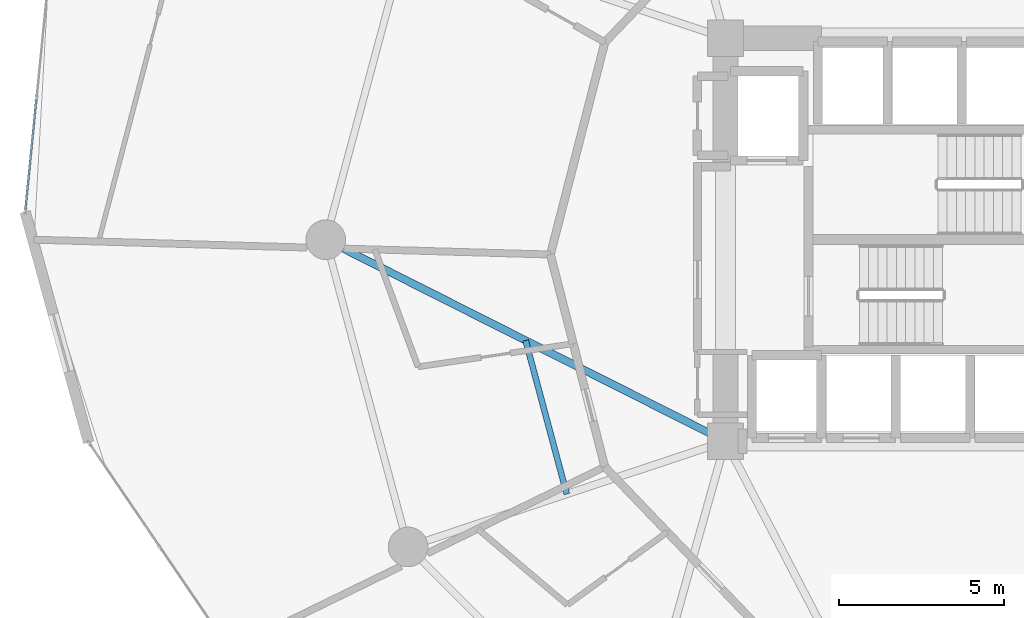
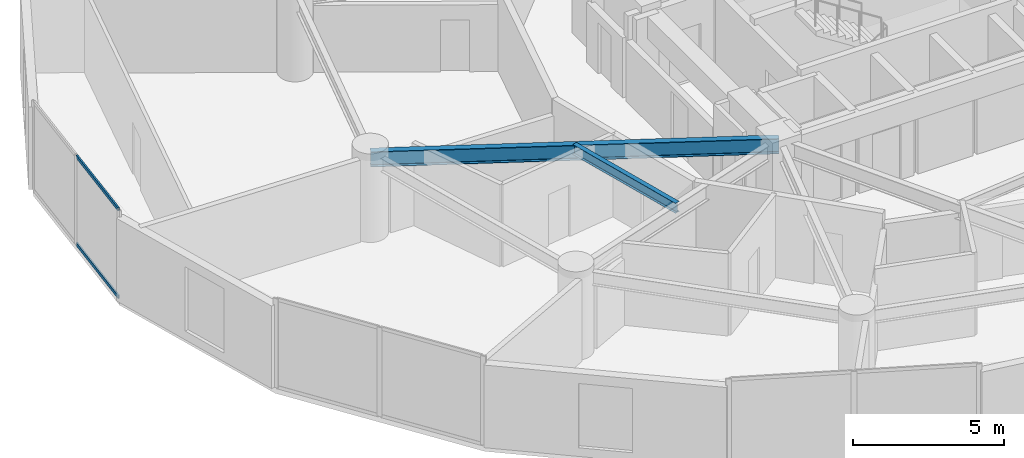
# One storey, part 6 of 26: 2 beams, 2 members, 1 element without a shape of its own.
"""IFC4 building model written with IfcOpenShell, lengths in metres."""

from ifc_helpers import new_model, si_unit, direction, frame, origin, origin_2d, place, context, subcontext, project, spatial, hollow_rectangle, i_section, extrude, source, transform, mapped, material, layer, layer_set, material_profile, profile_set, type_object, element, aggregate, save


model = new_model("IFC4")

# Units and contexts
model_context = context("Model", 3, precision=1e-05, world=origin(), true_north=direction((0.0, 1.0)))
body_context = subcontext(model_context, "Body", "Model", "MODEL_VIEW")
ifc_project = project(units=[si_unit("LENGTHUNIT", "METRE"), si_unit("AREAUNIT", "SQUARE_METRE"), si_unit("VOLUMEUNIT", "CUBIC_METRE"), si_unit("PLANEANGLEUNIT", "RADIAN"), si_unit("MASSUNIT", "GRAM", prefix="KILO")], contexts=[model_context])

# Site, building, storey
site_placement = place(None, origin())
site = spatial("IfcSite", under=ifc_project, at=site_placement, CompositionType="ELEMENT")
building_placement = place(site_placement, origin())
building = spatial("IfcBuilding", under=site, at=building_placement, Name="Solvirekh Grand Hotel", CompositionType="ELEMENT")
storey_placement = place(building_placement, frame((0.0, 0.0, 64.39990234375)))
storey = spatial("IfcBuildingStorey", under=building, at=storey_placement, Name="L15", CompositionType="ELEMENT", Elevation=64.39990234375)

# Beams
ifc_material_1 = material(Name="Steel S355", Category="steel")
ifc_material_profile_1 = material_profile(ifc_material_1, i_section(OverallWidth=0.22802734375, OverallDepth=0.616943359375, WebThickness=0.012939453125, FlangeThickness=0.02001953125, FilletRadius=0.014892578125, at=origin_2d()), Name="W610X140")
ifc_profile_set_1 = profile_set([ifc_material_profile_1], Name="Steel S355")
beam_type_1 = type_object("IfcBeamType", Name="Beam_Radial_W610", PredefinedType="BEAM", material=ifc_profile_set_1)
beam_1_placement = place(storey_placement, frame((-6.5, -6.10009765625, 3.031005859375), z_axis=(-0.892944939011, 0.450165898191, 0.0), x_axis=(-0.450165898191, -0.892944939011, 0.0)))
element("IfcBeam", 1, at=beam_1_placement, inside=storey, type_object=beam_type_1, Name="L15 radial floor beam R07", PredefinedType="BEAM", context=body_context, shape_type="SweptSolid", body=[
    extrude(i_section(OverallWidth=0.22802734375, OverallDepth=0.616943359375, WebThickness=0.012939453125, FlangeThickness=0.02001953125, FilletRadius=0.014892578125, at=origin_2d()), origin(), (0.0, 0.0, 1.0), 13.55078125),
])
ifc_material_profile_2 = material_profile(ifc_material_1, i_section(OverallWidth=0.177978515625, OverallDepth=0.406982421875, WebThickness=0.008056640625, FlangeThickness=0.011962890625, FilletRadius=0.011962890625, at=origin_2d()), Name="W410X60")
ifc_profile_set_2 = profile_set([ifc_material_profile_2], Name="Steel S355")
beam_type_2 = type_object("IfcBeamType", Name="Joist_Floor_W410", PredefinedType="JOIST", material=ifc_profile_set_2)
beam_2_placement = place(storey_placement, frame((-12.550048828125, -3.050048828125, 3.135986328125), z_axis=(0.258849313227, -0.965917715461, 0.0), x_axis=(0.965917715461, 0.258849313227, 0.0)))
element("IfcBeam", 2, at=beam_2_placement, inside=storey, type_object=beam_type_2, Name="L15 secondary composite floor joist 7", PredefinedType="JOIST", context=body_context, shape_type="SweptSolid", body=[
    extrude(i_section(OverallWidth=0.177978515625, OverallDepth=0.406982421875, WebThickness=0.008056640625, FlangeThickness=0.011962890625, FilletRadius=0.011962890625, at=origin_2d()), origin(), (0.0, 0.0, 1.0), 4.81396484375),
])

# Curtain wall, members
ifc_material_2 = material(Name="Anodized Bronze Aluminium 6063-T6", Category="aluminium")
ifc_layer = layer(ifc_material_2, 0.18994140625)
ifc_layer_set = layer_set([ifc_layer], Name="Anodized Bronze Aluminium 6063-T6")
curtain_wall_type = type_object("IfcCurtainWallType", Name="CW_Sys2_LowZoneFlushBronzeCW", PredefinedType="NOTDEFINED", material=ifc_layer_set)
curtain_wall_placement = place(storey_placement, origin())
curtain_wall = element("IfcCurtainWall", 3, at=curtain_wall_placement, inside=storey, type_object=curtain_wall_type, Name="L15 unitised bronze-glass curtain wall CW-L15-C11", PredefinedType="NOTDEFINED")
ifc_material_profile_3 = material_profile(ifc_material_2, hollow_rectangle(XDim=0.06005859375, YDim=0.135009765625, WallThickness=0.00390625, at=origin_2d()), Name="ALU RHS 135X60X4")
ifc_profile_set_3 = profile_set([ifc_material_profile_3], Name="Anodized Bronze Aluminium 6063-T6")
member_type = type_object("IfcMemberType", Name="CWTransom_Sys2", PredefinedType="USERDEFINED", material=ifc_profile_set_3)
shared_shape = source(origin(), body_context, "Body", "SweptSolid", [
    extrude(hollow_rectangle(XDim=0.06005859375, YDim=0.135009765625, WallThickness=0.00390625, at=origin_2d()), origin(), (0.0, 0.0, 1.0), 3.35791015625),
])
member_1_placement = place(storey_placement, frame((-27.363037109375, 4.251220703125, 0.030029296875), z_axis=(-0.098301442047, -0.995156684393, 0.0), x_axis=(0.995156684393, -0.098301442047, 0.0)))
member_1 = element("IfcMember", 4, at=member_1_placement, type_object=member_type, Name="U02 transom 2.1", ObjectType="TRANSOM", PredefinedType="USERDEFINED", context=body_context, shape_type="MappedRepresentation", body=[
    mapped(shared_shape, transform((0.0, 0.0, 0.0), x_axis=(1.0, 0.0, 0.0), y_axis=(0.0, 1.0, 0.0), z_axis=(0.0, 0.0, 1.0), scale=1.0)),
])
member_2_placement = place(storey_placement, frame((-27.363037109375, 4.251220703125, 3.570068359375), z_axis=(-0.098301442047, -0.995156684393, 0.0), x_axis=(0.995156684393, -0.098301442047, 0.0)))
member_2 = element("IfcMember", 5, at=member_2_placement, type_object=member_type, Name="U02 transom 2.2", ObjectType="TRANSOM", PredefinedType="USERDEFINED", context=body_context, shape_type="MappedRepresentation", body=[
    mapped(shared_shape, transform((0.0, 0.0, 0.0), x_axis=(1.0, 0.0, 0.0), y_axis=(0.0, 1.0, 0.0), z_axis=(0.0, 0.0, 1.0), scale=1.0)),
])
aggregate(curtain_wall, [member_1, member_2])

save(model, "model.ifc")
